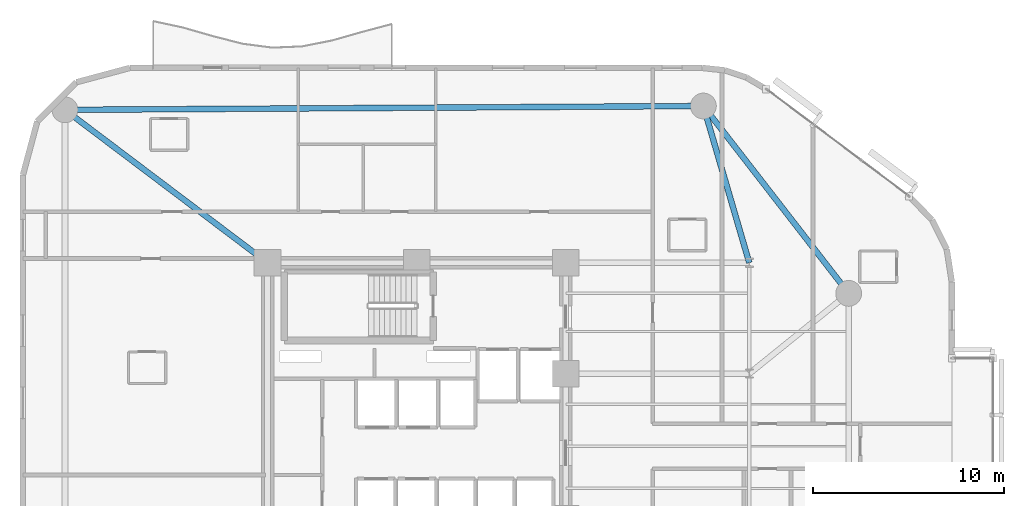
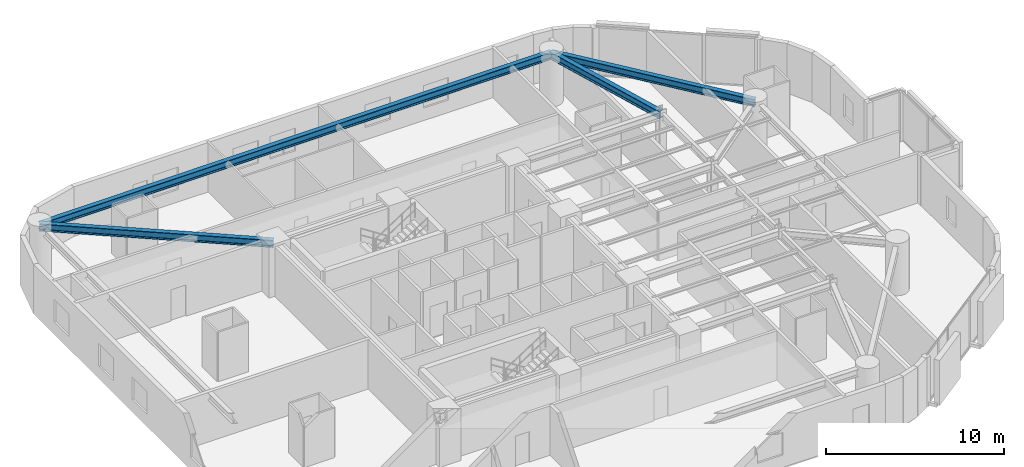
# One storey, part 5 of 14: 4 beams.
"""IFC4 building model written with IfcOpenShell, lengths in metres."""

from ifc_helpers import new_model, si_unit, direction, frame, origin, origin_2d, place, context, subcontext, project, spatial, i_section, extrude, material, material_profile, profile_set, type_object, element, save


model = new_model("IFC4")

# Units and contexts
model_context = context("Model", 3, precision=1e-05, world=origin(), true_north=direction((0.0, 1.0)))
body_context = subcontext(model_context, "Body", "Model", "MODEL_VIEW")
ifc_project = project(units=[si_unit("LENGTHUNIT", "METRE"), si_unit("AREAUNIT", "SQUARE_METRE"), si_unit("VOLUMEUNIT", "CUBIC_METRE"), si_unit("PLANEANGLEUNIT", "RADIAN"), si_unit("MASSUNIT", "GRAM", prefix="KILO")], contexts=[model_context])

# Site, building, storey
site_placement = place(None, origin())
site = spatial("IfcSite", under=ifc_project, at=site_placement, CompositionType="ELEMENT")
building_placement = place(site_placement, origin())
building = spatial("IfcBuilding", under=site, at=building_placement, Name="An Khanh Terracotta Commons", CompositionType="ELEMENT")
storey_placement = place(building_placement, frame((0.0, 0.0, 93.5)))
storey = spatial("IfcBuildingStorey", under=building, at=storey_placement, Name="L24", CompositionType="ELEMENT", Elevation=93.5)

# Beams
ifc_material = material(Name="Steel S355J2", Category="steel")
ifc_material_profile = material_profile(ifc_material, i_section(OverallWidth=0.300048828125, OverallDepth=0.5, WebThickness=0.014404296875, FlangeThickness=0.028076171875, FilletRadius=0.027099609375, at=origin_2d()), Name="HEB500")
ifc_profile_set = profile_set([ifc_material_profile], Name="Steel S355J2")
beam_type = type_object("IfcBeamType", Name="BM-HEB500", PredefinedType="BEAM", material=ifc_profile_set)
beam_1_placement = place(storey_placement, frame((52.0, 32.0, 3.14990234375), z_axis=(-0.612826529795, 0.790217466511, 0.0), x_axis=(-0.790217466511, -0.612826529795, 0.0)))
element("IfcBeam", 1, at=beam_1_placement, inside=storey, type_object=beam_type, Name="L24 Perimeter Ring Spandrel 4", PredefinedType="BEAM", context=body_context, shape_type="SweptSolid", body=[
    extrude(i_section(OverallWidth=0.300048828125, OverallDepth=0.5, WebThickness=0.014404296875, FlangeThickness=0.028076171875, FilletRadius=0.027099609375, at=origin_2d()), origin(), (0.0, 0.0, 1.0), 12.401611328125),
])
beam_2_placement = place(storey_placement, frame((44.39990234375, 41.800048828125, 3.14990234375), z_axis=(-0.999982080914, -0.005986472262, 0.0), x_axis=(0.005986472262, -0.999982080914, 0.0)))
element("IfcBeam", 2, at=beam_2_placement, inside=storey, type_object=beam_type, Name="L24 Perimeter Ring Spandrel 5", PredefinedType="BEAM", context=body_context, shape_type="SweptSolid", body=[
    extrude(i_section(OverallWidth=0.300048828125, OverallDepth=0.5, WebThickness=0.014404296875, FlangeThickness=0.028076171875, FilletRadius=0.027099609375, at=origin_2d()), origin(), (0.0, 0.0, 1.0), 33.400390625),
])
beam_3_placement = place(storey_placement, frame((44.39990234375, 41.800048828125, 3.14990234375), z_axis=(0.280916085823, -0.959732333896, 0.0), x_axis=(0.959732333896, 0.280916085823, 0.0)))
element("IfcBeam", 3, at=beam_3_placement, inside=storey, type_object=beam_type, Name="L24 Mega-Column Tie Girder 5", PredefinedType="BEAM", context=body_context, shape_type="SweptSolid", body=[
    extrude(i_section(OverallWidth=0.300048828125, OverallDepth=0.5, WebThickness=0.014404296875, FlangeThickness=0.028076171875, FilletRadius=0.027099609375, at=origin_2d()), origin(), (0.0, 0.0, 1.0), 8.5439453125),
])
beam_4_placement = place(storey_placement, frame((11.0, 41.60009765625, 3.14990234375), z_axis=(0.798191818888, -0.602403370061, 0.0), x_axis=(0.602403370061, 0.798191818888, 0.0)))
element("IfcBeam", 4, at=beam_4_placement, inside=storey, type_object=beam_type, Name="L24 Mega-Column Tie Girder 6", PredefinedType="BEAM", context=body_context, shape_type="SweptSolid", body=[
    extrude(i_section(OverallWidth=0.300048828125, OverallDepth=0.5, WebThickness=0.014404296875, FlangeThickness=0.028076171875, FilletRadius=0.027099609375, at=origin_2d()), origin(), (0.0, 0.0, 1.0), 13.280029296875),
])

save(model, "model.ifc")
